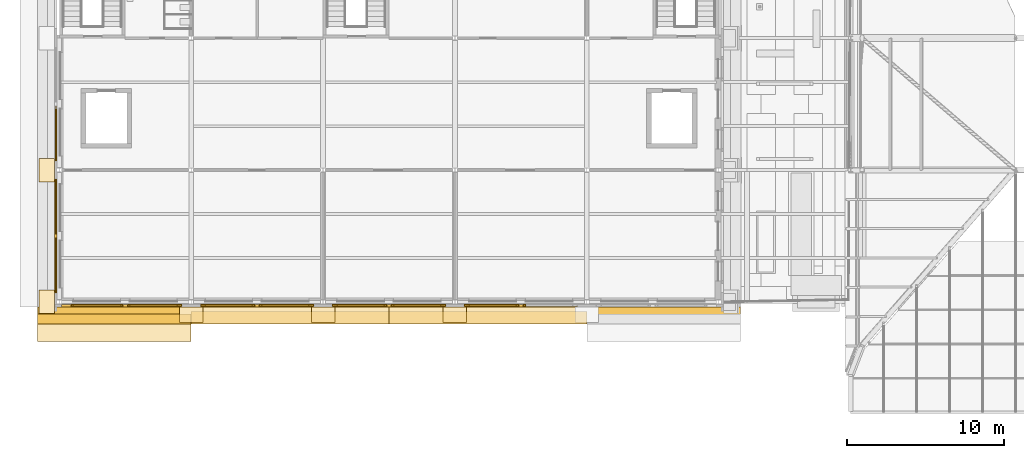
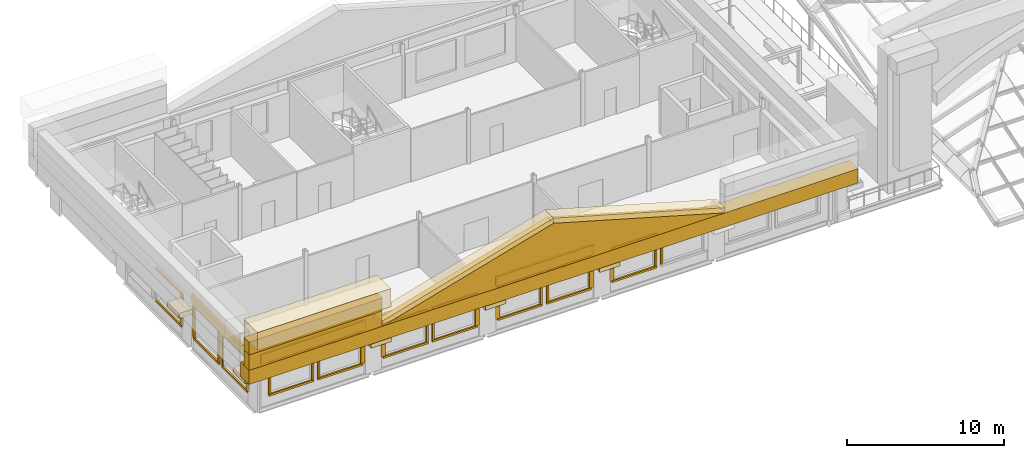
# One storey, part 53 of 76: 57 coverings.
"""IFC4 building model written with IfcOpenShell, lengths in metres."""

import ifcopenshell
import ifcopenshell.guid

model = None  # the IFC model being written
_history = None  # IfcOwnerHistory: only IFC2X3 demands one
_inside = {}  # id of a spatial element -> (the spatial element, [elements in it])
_under = {}  # id of a project, library or spatial element -> (it, [spatial elements below it])
_declared = {}  # id of a project -> (the project, [libraries it declares])
_typed = {}  # id of a type object -> (the type object, [elements of that type])
_made_of = {}  # id of a material, layer set ... -> (it, [elements and type objects made of it])


def new_model(schema):
    """Start an empty IFC model of exactly this schema.

    Asked for "IFC4X3", IfcOpenShell would pick the latest addendum, in which some entities
    have other attributes; the version numbers below select the first issue.
    IFC2X3 requires an IfcOwnerHistory on every rooted entity: one is made here for all.
    """
    global model, _history
    if schema == "IFC4X3":
        model = ifcopenshell.file(schema_version=(4, 3, 0, 0))
    else:
        model = ifcopenshell.file(schema=schema)
    _inside.clear()
    _under.clear()
    _declared.clear()
    _typed.clear()
    _made_of.clear()
    _history = None
    if model.schema == "IFC2X3":
        org = make("IfcOrganization", Name="unknown")
        user = make(
            "IfcPersonAndOrganization",
            ThePerson=make("IfcPerson", FamilyName="unknown"),
            TheOrganization=org,
        )
        app = make(
            "IfcApplication",
            ApplicationDeveloper=org,
            Version="unknown",
            ApplicationFullName="unknown",
            ApplicationIdentifier="unknown",
        )
        _history = make(
            "IfcOwnerHistory",
            OwningUser=user,
            OwningApplication=app,
            ChangeAction="ADDED",
            CreationDate=0,
        )
    return model


def make(cls, **values):
    """One entity of the class cls with the attributes given. An attribute that is None is left unset."""
    return model.create_entity(
        cls, **{name: value for name, value in values.items() if value is not None}
    )


def rooted(cls, **values):
    """An entity with a GlobalId (a new one), such as an element, a storey or a relation."""
    return make(cls, GlobalId=ifcopenshell.guid.new(), OwnerHistory=_history, **values)


def si_unit(unit_type, name, prefix=None):
    """IfcSIUnit, for example si_unit("LENGTHUNIT", "METRE", prefix="MILLI")."""
    return make("IfcSIUnit", UnitType=unit_type, Prefix=prefix, Name=name)


def assignment(units):
    """IfcUnitAssignment: the units of a project."""
    return None if units is None else make("IfcUnitAssignment", Units=units)


def point(xyz):
    """IfcCartesianPoint."""
    return None if xyz is None else make("IfcCartesianPoint", Coordinates=xyz)


def direction(xyz):
    """IfcDirection."""
    return None if xyz is None else make("IfcDirection", DirectionRatios=xyz)


def frame(location, z_axis=None, x_axis=None):
    """IfcAxis2Placement3D, a coordinate frame: its origin and axes. An axis left out is left unset."""
    return make(
        "IfcAxis2Placement3D",
        Location=point(location),
        Axis=direction(z_axis),
        RefDirection=direction(x_axis),
    )


def frame_2d(location, x_axis=None):
    """IfcAxis2Placement2D, a coordinate frame in the plane: its origin and x axis."""
    return make(
        "IfcAxis2Placement2D", Location=point(location), RefDirection=direction(x_axis)
    )


def origin():
    """The frame at (0, 0, 0) with its axes left unset."""
    return frame((0.0, 0.0, 0.0))


def origin_2d():
    """The frame at (0, 0) in the plane with its x axis left unset."""
    return frame_2d((0.0, 0.0))


def place(relative_to, where):
    """IfcLocalPlacement: puts the frame where relative to a parent placement (None: the world)."""
    return make(
        "IfcLocalPlacement", PlacementRelTo=relative_to, RelativePlacement=where
    )


def context(
    kind, dimensions, precision=None, world=None, true_north=None, identifier=None
):
    """IfcGeometricRepresentationContext, for example the 3D "Model" context."""
    return make(
        "IfcGeometricRepresentationContext",
        ContextIdentifier=identifier,
        ContextType=kind,
        CoordinateSpaceDimension=dimensions,
        Precision=precision,
        WorldCoordinateSystem=world,
        TrueNorth=true_north,
    )


def subcontext(parent, identifier, kind, view, scale=None):
    """IfcGeometricRepresentationSubContext, for example "Body" below "Model"."""
    return make(
        "IfcGeometricRepresentationSubContext",
        ContextIdentifier=identifier,
        ContextType=kind,
        ParentContext=parent,
        TargetScale=scale,
        TargetView=view,
    )


def project(units=None, contexts=None):
    """IfcProject with its units and contexts."""
    return rooted(
        "IfcProject",
        Name="project",
        RepresentationContexts=contexts,
        UnitsInContext=assignment(units),
    )


def spatial(cls, under=None, at=None, **own):
    """A site, building, storey or space (cls), placed at a placement, below another one or the project."""
    s = rooted(cls, ObjectPlacement=at, **own)
    if under is not None:
        _under.setdefault(under.id(), (under, []))[1].append(s)
    return s


def polyline(points):
    """IfcPolyline through the points."""
    return make("IfcPolyline", Points=[point(p) for p in points])


def profile(cls, at=None, kind="AREA", **sizes):
    """A parametric profile (cls). Its sizes go by their IFC names, for example OverallWidth=200.0."""
    return make(cls, ProfileType=kind, Position=at, **sizes)


def rectangle(**sizes):
    """IfcRectangleProfileDef."""
    return profile("IfcRectangleProfileDef", **sizes)


def outline(outer, holes=None, kind="AREA"):
    """IfcArbitraryClosedProfileDef: a profile drawn as a closed curve; with holes, ...WithVoids."""
    if holes is None:
        return make("IfcArbitraryClosedProfileDef", ProfileType=kind, OuterCurve=outer)
    return make(
        "IfcArbitraryProfileDefWithVoids",
        ProfileType=kind,
        OuterCurve=outer,
        InnerCurves=holes,
    )


def extrude(swept, where, along, depth):
    """IfcExtrudedAreaSolid: the profile swept, set in the frame where, extruded along a direction by depth."""
    return make(
        "IfcExtrudedAreaSolid",
        SweptArea=swept,
        Position=where,
        ExtrudedDirection=direction(along),
        Depth=depth,
    )


def shape(context_of_items, identifier, shape_type, items):
    """IfcShapeRepresentation: the items that make up one representation, for example the "Body"."""
    return make(
        "IfcShapeRepresentation",
        ContextOfItems=context_of_items,
        RepresentationIdentifier=identifier,
        RepresentationType=shape_type,
        Items=items,
    )


def material(Name=None, Category=None):
    """IfcMaterial."""
    return make("IfcMaterial", Name=Name, Category=Category)


def layer(
    of_material, thickness, ventilated=None, Name=None, Category=None, Priority=None
):
    """IfcMaterialLayer: one layer of a wall or slab, of a material (None: an air gap)."""
    return make(
        "IfcMaterialLayer",
        Material=of_material,
        LayerThickness=thickness,
        IsVentilated=ventilated,
        Name=Name,
        Category=Category,
        Priority=Priority,
    )


def layer_set(layers, Name=None):
    """IfcMaterialLayerSet."""
    return make("IfcMaterialLayerSet", MaterialLayers=layers, LayerSetName=Name)


def made_of(thing, what):
    """Note that an element or type object is made of a material, layer set ...; save() writes the relation."""
    if what is not None:
        _made_of.setdefault(what.id(), (what, []))[1].append(thing)
    return thing


def type_object(cls, material=None, **own):
    """A type object (cls), such as IfcWallType, which elements share."""
    return made_of(rooted(cls, **own), material)


def element(
    cls,
    number,
    at=None,
    inside=None,
    cuts=None,
    type_object=None,
    material=None,
    context=None,
    identifier="Body",
    shape_type=None,
    held_by="IfcProductDefinitionShape",
    body=None,
    shapes=None,
    **own,
):
    """One element of the class cls, such as IfcWall. Its Tag is "e" and its number.

    at: its placement. inside: the storey or other place that contains it. cuts: it is an
    opening in that element (IfcRelVoidsElement). A single representation is given by context,
    identifier, shape_type and body (its items); several are given by shapes. held_by: the class
    of the entity that holds the representations. save() writes the other relations.
    """
    e = rooted(cls, Tag="e%d" % number, ObjectPlacement=at, **own)
    if body is not None:
        shapes = [shape(context, identifier, shape_type, body)]
    if shapes is not None:
        e.Representation = make(held_by, Representations=shapes)
    if inside is not None:
        _inside.setdefault(inside.id(), (inside, []))[1].append(e)
    if cuts is not None:
        rooted(
            "IfcRelVoidsElement", RelatingBuildingElement=cuts, RelatedOpeningElement=e
        )
    if type_object is not None:
        _typed.setdefault(type_object.id(), (type_object, []))[1].append(e)
    return made_of(e, material)


def aggregate(whole, parts):
    """IfcRelAggregates: a whole, such as a stair, and the parts it consists of."""
    return rooted("IfcRelAggregates", RelatingObject=whole, RelatedObjects=parts)


def save(model, path):
    """Write the relations noted so far, then the file.

    IfcRelAggregates (storeys below a building ...), IfcRelContainedInSpatialStructure (elements
    in a storey), IfcRelDefinesByType, IfcRelAssociatesMaterial and IfcRelDeclares: one each for
    every whole, place, type object, material and project.
    """
    for whole, parts in _under.values():
        aggregate(whole, parts)
    for where, things in _inside.values():
        rooted(
            "IfcRelContainedInSpatialStructure",
            RelatedElements=things,
            RelatingStructure=where,
        )
    for kind, things in _typed.values():
        rooted("IfcRelDefinesByType", RelatedObjects=things, RelatingType=kind)
    for what, things in _made_of.values():
        rooted("IfcRelAssociatesMaterial", RelatedObjects=things, RelatingMaterial=what)
    for by, libraries in _declared.values():
        rooted("IfcRelDeclares", RelatingContext=by, RelatedDefinitions=libraries)
    model.write(path)


model = new_model("IFC4")

# Units and contexts
model_context = context("Model", 3, precision=1e-05, world=origin(), true_north=direction((0.0, 1.0)))
body_context = subcontext(model_context, "Body", "Model", "MODEL_VIEW")
ifc_project = project(units=[si_unit("LENGTHUNIT", "METRE"), si_unit("AREAUNIT", "SQUARE_METRE"), si_unit("VOLUMEUNIT", "CUBIC_METRE"), si_unit("PLANEANGLEUNIT", "RADIAN"), si_unit("MASSUNIT", "GRAM", prefix="KILO")], contexts=[model_context])

# Site, building, storey
site_placement = place(None, origin())
site = spatial("IfcSite", under=ifc_project, at=site_placement, CompositionType="ELEMENT")
building_placement = place(site_placement, origin())
building = spatial("IfcBuilding", under=site, at=building_placement, Name="Sava Quay Ferry Terminal", CompositionType="ELEMENT")
storey_placement = place(building_placement, frame((0.0, 0.0, 10.800048828125)))
storey = spatial("IfcBuildingStorey", under=building, at=storey_placement, Name="L02", CompositionType="ELEMENT", Elevation=10.800048828125)

# Coverings
ifc_material_1 = material(Name="Limestone Mutalj", Category="masonry")
ifc_layer_1 = layer(ifc_material_1, 1.75)
ifc_layer_set_1 = layer_set([ifc_layer_1], Name="Limestone Mutalj")
covering_type_1 = type_object("IfcCoveringType", Name="Attic crown cornice 1400", PredefinedType="MOLDING", material=ifc_layer_set_1)
covering_1_placement = place(storey_placement, frame((3.510009765625, 23.56494140625, 6.39990234375), z_axis=(0.0, 0.0, 1.0), x_axis=(1.0, 0.0, 0.0)))
element("IfcCovering", 1, at=covering_1_placement, inside=storey, type_object=covering_type_1, Name="Attic crown cornice", PredefinedType="MOLDING", context=body_context, shape_type="SweptSolid", body=[
    extrude(rectangle(XDim=9.780029296875, YDim=1.75, at=origin_2d()), origin(), (0.0, 0.0, 1.0), 1.39990234375),
])
ifc_material_2 = material(Name="Limestone Mutalj", Category="masonry")
ifc_layer_2 = layer(ifc_material_2, 0.64990234375)
ifc_layer_set_2 = layer_set([ifc_layer_2], Name="Limestone Mutalj")
covering_type_2 = type_object("IfcCoveringType", Name="Attic frieze 1000", PredefinedType="CLADDING", material=ifc_layer_set_2)
covering_2_placement = place(storey_placement, frame((3.510009765625, 24.114990234375, 5.39990234375), z_axis=(0.0, 0.0, 1.0), x_axis=(1.0, 0.0, 0.0)))
element("IfcCovering", 2, at=covering_2_placement, inside=storey, type_object=covering_type_2, Name="Attic frieze", PredefinedType="CLADDING", context=body_context, shape_type="SweptSolid", body=[
    extrude(rectangle(XDim=9.780029296875, YDim=0.64990234375, at=origin_2d()), origin(), (0.0, 0.0, 1.0), 1.0),
])
ifc_material_3 = material(Name="Limestone Mutalj", Category="masonry")
ifc_layer_3 = layer(ifc_material_3, 0.64990234375)
ifc_layer_set_3 = layer_set([ifc_layer_3], Name="Limestone Mutalj")
covering_type_3 = type_object("IfcCoveringType", Name="Attic parapet 650", PredefinedType="MOLDING", material=ifc_layer_set_3)
covering_3_placement = place(storey_placement, frame((3.510009765625, 24.114990234375, 4.2001953125), z_axis=(0.0, 0.0, 1.0), x_axis=(1.0, 0.0, 0.0)))
element("IfcCovering", 3, at=covering_3_placement, inside=storey, type_object=covering_type_3, Name="Attic parapet W S", PredefinedType="MOLDING", context=body_context, shape_type="SweptSolid", body=[
    extrude(rectangle(XDim=9.780029296875, YDim=0.64990234375, at=origin_2d()), origin(), (0.0, 0.0, 1.0), 1.199951171875),
])
ifc_material_4 = material(Name="Limestone Mutalj", Category="masonry")
ifc_layer_4 = layer(ifc_material_4, 1.10009765625)
ifc_layer_set_4 = layer_set([ifc_layer_4], Name="Limestone Mutalj")
covering_type_4 = type_object("IfcCoveringType", Name="Eaves cornice 1100", PredefinedType="MOLDING", material=ifc_layer_set_4)
covering_4_placement = place(storey_placement, frame((21.0, 24.340087890625, 3.099853515625), z_axis=(0.0, 0.0, 1.0), x_axis=(1.0, 0.0, 0.0)))
element("IfcCovering", 4, at=covering_4_placement, inside=storey, type_object=covering_type_4, Name="Eaves cornice W S", PredefinedType="MOLDING", context=body_context, shape_type="SweptSolid", body=[
    extrude(rectangle(XDim=44.760009765625, YDim=1.10009765625, at=origin_2d()), origin(), (0.0, 0.0, 1.0), 1.10009765625),
])
ifc_material_5 = material(Name="Limestone Mutalj", Category="masonry")
ifc_layer_5 = layer(ifc_material_5, 0.14990234375)
ifc_layer_set_5 = layer_set([ifc_layer_5], Name="Limestone Mutalj")
covering_type_5 = type_object("IfcCoveringType", Name="Limestone string course 150", PredefinedType="CLADDING", material=ifc_layer_set_5)
covering_5_placement = place(storey_placement, frame((0.0, 0.0, 3.449951171875)))
element("IfcCovering", 5, at=covering_5_placement, inside=storey, type_object=covering_type_5, Name="String course W-S", PredefinedType="CLADDING", context=body_context, shape_type="SweptSolid", body=[
    extrude(outline(polyline([(0.1298828125, 25.0400390625), (7.800048828125, 25.0400390625), (7.800048828125, 24.889892578125), (0.1298828125, 24.889892578125), (0.1298828125, 25.0400390625)])), origin(), (0.0, 0.0, 1.0), 0.75),
])
covering_6_placement = place(storey_placement, frame((0.0, 0.0, 3.449951171875)))
element("IfcCovering", 6, at=covering_6_placement, inside=storey, type_object=covering_type_5, Name="String course W-S", PredefinedType="CLADDING", context=body_context, shape_type="SweptSolid", body=[
    extrude(outline(polyline([(9.0, 25.0400390625), (16.199951171875, 25.0400390625), (16.199951171875, 24.889892578125), (9.0, 24.889892578125), (9.0, 25.0400390625)])), origin(), (0.0, 0.0, 1.0), 0.75),
])
covering_7_placement = place(storey_placement, frame((0.0, 0.0, 3.449951171875)))
element("IfcCovering", 7, at=covering_7_placement, inside=storey, type_object=covering_type_5, Name="String course W-S", PredefinedType="CLADDING", context=body_context, shape_type="SweptSolid", body=[
    extrude(outline(polyline([(17.39990234375, 25.0400390625), (24.60009765625, 25.0400390625), (24.60009765625, 24.889892578125), (17.39990234375, 24.889892578125), (17.39990234375, 25.0400390625)])), origin(), (0.0, 0.0, 1.0), 0.75),
])
covering_8_placement = place(storey_placement, frame((0.0, 0.0, 3.449951171875)))
element("IfcCovering", 8, at=covering_8_placement, inside=storey, type_object=covering_type_5, Name="String course W-S", PredefinedType="CLADDING", context=body_context, shape_type="SweptSolid", body=[
    extrude(outline(polyline([(25.800048828125, 25.0400390625), (33.0, 25.0400390625), (33.0, 24.889892578125), (25.800048828125, 24.889892578125), (25.800048828125, 25.0400390625)])), origin(), (0.0, 0.0, 1.0), 0.75),
])
covering_9_placement = place(storey_placement, frame((0.0, 0.0, 3.449951171875)))
element("IfcCovering", 9, at=covering_9_placement, inside=storey, type_object=covering_type_5, Name="String course W-W", PredefinedType="CLADDING", context=body_context, shape_type="SweptSolid", body=[
    extrude(outline(polyline([(-0.14990234375, 25.800048828125), (-0.14990234375, 33.0), (-0.300048828125, 33.0), (-0.300048828125, 25.800048828125), (-0.14990234375, 25.800048828125)])), origin(), (0.0, 0.0, 1.0), 0.75),
])
ifc_material_6 = material(Name="Limestone Mutalj", Category="masonry")
ifc_layer_6 = layer(ifc_material_6, 0.800048828125)
ifc_layer_set_6 = layer_set([ifc_layer_6], Name="Limestone Mutalj")
covering_type_6 = type_object("IfcCoveringType", Name="Pediment tympanum 800", PredefinedType="CLADDING", material=ifc_layer_set_6)
covering_10_placement = place(storey_placement, frame((8.39990234375, 23.7900390625, 4.199951171875), z_axis=(0.0, -1.0, 0.0), x_axis=(1.0, 0.0, 0.0)))
element("IfcCovering", 10, at=covering_10_placement, inside=storey, type_object=covering_type_6, Name="Front pediment W S", PredefinedType="CLADDING", context=body_context, shape_type="SweptSolid", body=[
    extrude(outline(polyline([(0.0, 0.0), (25.2001953125, 0.0), (12.60009765625, 3.60009765625), (0.0, 0.0)])), origin(), (0.0, 0.0, -1.0), 0.81005859375),
])
ifc_material_7 = material(Name="Limestone Mutalj", Category="masonry")
ifc_layer_7 = layer(ifc_material_7, 1.0)
ifc_layer_set_7 = layer_set([ifc_layer_7], Name="Limestone Mutalj")
covering_type_7 = type_object("IfcCoveringType", Name="Pilaster capital block 1500", PredefinedType="MOLDING", material=ifc_layer_set_7)
for number, where, z_axis, x_axis, name in (
    (11, (8.39990234375, 24.389892578125, 2.699951171875), (0.0, 0.0, 1.0), (1.0, 0.0, 0.0), "Giant-order capital"),
    (12, (16.800048828125, 24.389892578125, 2.699951171875), (0.0, 0.0, 1.0), (1.0, 0.0, 0.0), "Giant-order capital"),
    (13, (25.199951171875, 24.389892578125, 2.699951171875), (0.0, 0.0, 1.0), (1.0, 0.0, 0.0), "Giant-order capital"),
):
    element("IfcCovering", number, at=place(storey_placement, frame(where, z_axis=z_axis, x_axis=x_axis)), inside=storey, type_object=covering_type_7, Name=name, PredefinedType="MOLDING", context=body_context, shape_type="SweptSolid", body=[
        extrude(rectangle(XDim=1.5, YDim=1.0, at=origin_2d()), origin(), (0.0, 0.0, 1.0), 0.39990234375),
    ])
for number, where, z_axis, x_axis, name in (
    (14, (-0.800048828125, 25.199951171875, 2.699951171875), (0.0, 0.0, 1.0), (1.0, 0.0, 0.0), "Giant-order capital"),
    (15, (-0.800048828125, 33.60009765625, 2.699951171875), (0.0, 0.0, 1.0), (1.0, 0.0, 0.0), "Giant-order capital"),
):
    element("IfcCovering", number, at=place(storey_placement, frame(where, z_axis=z_axis, x_axis=x_axis)), inside=storey, type_object=covering_type_7, Name=name, PredefinedType="MOLDING", context=body_context, shape_type="SweptSolid", body=[
        extrude(rectangle(XDim=1.0, YDim=1.5, at=origin_2d()), origin(), (0.0, 0.0, 1.0), 0.39990234375),
    ])
ifc_material_8 = material(Name="Limestone Mutalj", Category="masonry")
ifc_layer_8 = layer(ifc_material_8, 0.1201171875)
ifc_layer_set_8 = layer_set([ifc_layer_8], Name="Limestone Mutalj")
covering_type_8 = type_object("IfcCoveringType", Name="Plain window architrave 150", PredefinedType="MOLDING", material=ifc_layer_set_8)
for number, where, z_axis, x_axis, name in (
    (16, (0.824951171875, 24.97998046875, 0.89990234375), (0.0, 0.0, 1.0), (1.0, 0.0, 0.0), "Plain window architrave"),
    (17, (3.97509765625, 24.97998046875, 0.89990234375), (0.0, 0.0, 1.0), (1.0, 0.0, 0.0), "Plain window architrave"),
):
    element("IfcCovering", number, at=place(storey_placement, frame(where, z_axis=z_axis, x_axis=x_axis)), inside=storey, type_object=covering_type_8, Name=name, PredefinedType="MOLDING", context=body_context, shape_type="SweptSolid", body=[
        extrude(rectangle(XDim=0.14990234375, YDim=0.1201171875, at=origin_2d()), origin(), (0.0, 0.0, 1.0), 2.39990234375),
    ])
for number, where, z_axis, x_axis, name in (
    (18, (2.39990234375, 24.97998046875, 3.300048828125), (0.0, 0.0, 1.0), (1.0, 0.0, 0.0), "Plain window architrave"),
    (19, (2.39990234375, 24.97998046875, 0.75), (0.0, 0.0, 1.0), (1.0, 0.0, 0.0), "Plain window architrave"),
):
    element("IfcCovering", number, at=place(storey_placement, frame(where, z_axis=z_axis, x_axis=x_axis)), inside=storey, type_object=covering_type_8, Name=name, PredefinedType="MOLDING", context=body_context, shape_type="SweptSolid", body=[
        extrude(rectangle(XDim=3.300048828125, YDim=0.1201171875, at=origin_2d()), origin(), (0.0, 0.0, 1.0), 0.14990234375),
    ])
covering_11_placement = place(storey_placement, frame((4.425048828125, 24.97998046875, 0.89990234375), z_axis=(0.0, 0.0, 1.0), x_axis=(1.0, 0.0, 0.0)))
element("IfcCovering", 20, at=covering_11_placement, inside=storey, type_object=covering_type_8, Name="Plain window architrave", PredefinedType="MOLDING", context=body_context, shape_type="SweptSolid", body=[
    extrude(rectangle(XDim=0.14990234375, YDim=0.1201171875, at=origin_2d()), origin(), (0.0, 0.0, 1.0), 2.39990234375),
])
covering_12_placement = place(storey_placement, frame((7.64990234375, 24.97998046875, 0.89990234375), z_axis=(0.0, 0.0, 1.0), x_axis=(1.0, 0.0, 0.0)))
element("IfcCovering", 21, at=covering_12_placement, inside=storey, type_object=covering_type_8, Name="Plain window architrave", PredefinedType="MOLDING", context=body_context, shape_type="SweptSolid", body=[
    extrude(rectangle(XDim=0.300048828125, YDim=0.1201171875, at=origin_2d()), origin(), (0.0, 0.0, 1.0), 2.39990234375),
])
for number, where, z_axis, x_axis, name in (
    (22, (6.0, 24.97998046875, 3.300048828125), (0.0, 0.0, 1.0), (1.0, 0.0, 0.0), "Plain window architrave"),
    (23, (6.0, 24.97998046875, 0.75), (0.0, 0.0, 1.0), (1.0, 0.0, 0.0), "Plain window architrave"),
):
    element("IfcCovering", number, at=place(storey_placement, frame(where, z_axis=z_axis, x_axis=x_axis)), inside=storey, type_object=covering_type_8, Name=name, PredefinedType="MOLDING", context=body_context, shape_type="SweptSolid", body=[
        extrude(rectangle(XDim=3.300048828125, YDim=0.1201171875, at=origin_2d()), origin(), (0.0, 0.0, 1.0), 0.14990234375),
    ])
covering_13_placement = place(storey_placement, frame((9.14990234375, 24.97998046875, 0.89990234375), z_axis=(0.0, 0.0, 1.0), x_axis=(1.0, 0.0, 0.0)))
element("IfcCovering", 24, at=covering_13_placement, inside=storey, type_object=covering_type_8, Name="Plain window architrave", PredefinedType="MOLDING", context=body_context, shape_type="SweptSolid", body=[
    extrude(rectangle(XDim=0.300048828125, YDim=0.1201171875, at=origin_2d()), origin(), (0.0, 0.0, 1.0), 2.39990234375),
])
covering_14_placement = place(storey_placement, frame((12.375, 24.97998046875, 0.89990234375), z_axis=(0.0, 0.0, 1.0), x_axis=(1.0, 0.0, 0.0)))
element("IfcCovering", 25, at=covering_14_placement, inside=storey, type_object=covering_type_8, Name="Plain window architrave", PredefinedType="MOLDING", context=body_context, shape_type="SweptSolid", body=[
    extrude(rectangle(XDim=0.14990234375, YDim=0.1201171875, at=origin_2d()), origin(), (0.0, 0.0, 1.0), 2.39990234375),
])
for number, where, z_axis, x_axis, name in (
    (26, (10.800048828125, 24.97998046875, 3.300048828125), (0.0, 0.0, 1.0), (1.0, 0.0, 0.0), "Plain window architrave"),
    (27, (10.800048828125, 24.97998046875, 0.75), (0.0, 0.0, 1.0), (1.0, 0.0, 0.0), "Plain window architrave"),
):
    element("IfcCovering", number, at=place(storey_placement, frame(where, z_axis=z_axis, x_axis=x_axis)), inside=storey, type_object=covering_type_8, Name=name, PredefinedType="MOLDING", context=body_context, shape_type="SweptSolid", body=[
        extrude(rectangle(XDim=3.300048828125, YDim=0.1201171875, at=origin_2d()), origin(), (0.0, 0.0, 1.0), 0.14990234375),
    ])
covering_15_placement = place(storey_placement, frame((12.824951171875, 24.97998046875, 0.89990234375), z_axis=(0.0, 0.0, 1.0), x_axis=(1.0, 0.0, 0.0)))
element("IfcCovering", 28, at=covering_15_placement, inside=storey, type_object=covering_type_8, Name="Plain window architrave", PredefinedType="MOLDING", context=body_context, shape_type="SweptSolid", body=[
    extrude(rectangle(XDim=0.14990234375, YDim=0.1201171875, at=origin_2d()), origin(), (0.0, 0.0, 1.0), 2.39990234375),
])
covering_16_placement = place(storey_placement, frame((16.050048828125, 24.97998046875, 0.89990234375), z_axis=(0.0, 0.0, 1.0), x_axis=(1.0, 0.0, 0.0)))
element("IfcCovering", 29, at=covering_16_placement, inside=storey, type_object=covering_type_8, Name="Plain window architrave", PredefinedType="MOLDING", context=body_context, shape_type="SweptSolid", body=[
    extrude(rectangle(XDim=0.300048828125, YDim=0.1201171875, at=origin_2d()), origin(), (0.0, 0.0, 1.0), 2.39990234375),
])
for number, where, z_axis, x_axis, name in (
    (30, (14.39990234375, 24.97998046875, 3.300048828125), (0.0, 0.0, 1.0), (1.0, 0.0, 0.0), "Plain window architrave"),
    (31, (14.39990234375, 24.97998046875, 0.75), (0.0, 0.0, 1.0), (1.0, 0.0, 0.0), "Plain window architrave"),
):
    element("IfcCovering", number, at=place(storey_placement, frame(where, z_axis=z_axis, x_axis=x_axis)), inside=storey, type_object=covering_type_8, Name=name, PredefinedType="MOLDING", context=body_context, shape_type="SweptSolid", body=[
        extrude(rectangle(XDim=3.300048828125, YDim=0.1201171875, at=origin_2d()), origin(), (0.0, 0.0, 1.0), 0.14990234375),
    ])
covering_17_placement = place(storey_placement, frame((17.550048828125, 24.97998046875, 0.89990234375), z_axis=(0.0, 0.0, 1.0), x_axis=(1.0, 0.0, 0.0)))
element("IfcCovering", 32, at=covering_17_placement, inside=storey, type_object=covering_type_8, Name="Plain window architrave", PredefinedType="MOLDING", context=body_context, shape_type="SweptSolid", body=[
    extrude(rectangle(XDim=0.300048828125, YDim=0.1201171875, at=origin_2d()), origin(), (0.0, 0.0, 1.0), 2.39990234375),
])
covering_18_placement = place(storey_placement, frame((20.77490234375, 24.97998046875, 0.89990234375), z_axis=(0.0, 0.0, 1.0), x_axis=(1.0, 0.0, 0.0)))
element("IfcCovering", 33, at=covering_18_placement, inside=storey, type_object=covering_type_8, Name="Plain window architrave", PredefinedType="MOLDING", context=body_context, shape_type="SweptSolid", body=[
    extrude(rectangle(XDim=0.14990234375, YDim=0.1201171875, at=origin_2d()), origin(), (0.0, 0.0, 1.0), 2.39990234375),
])
for number, where, z_axis, x_axis, name in (
    (34, (19.199951171875, 24.97998046875, 3.300048828125), (0.0, 0.0, 1.0), (1.0, 0.0, 0.0), "Plain window architrave"),
    (35, (19.199951171875, 24.97998046875, 0.75), (0.0, 0.0, 1.0), (1.0, 0.0, 0.0), "Plain window architrave"),
):
    element("IfcCovering", number, at=place(storey_placement, frame(where, z_axis=z_axis, x_axis=x_axis)), inside=storey, type_object=covering_type_8, Name=name, PredefinedType="MOLDING", context=body_context, shape_type="SweptSolid", body=[
        extrude(rectangle(XDim=3.300048828125, YDim=0.1201171875, at=origin_2d()), origin(), (0.0, 0.0, 1.0), 0.14990234375),
    ])
covering_19_placement = place(storey_placement, frame((21.22509765625, 24.97998046875, 0.89990234375), z_axis=(0.0, 0.0, 1.0), x_axis=(1.0, 0.0, 0.0)))
element("IfcCovering", 36, at=covering_19_placement, inside=storey, type_object=covering_type_8, Name="Plain window architrave", PredefinedType="MOLDING", context=body_context, shape_type="SweptSolid", body=[
    extrude(rectangle(XDim=0.14990234375, YDim=0.1201171875, at=origin_2d()), origin(), (0.0, 0.0, 1.0), 2.39990234375),
])
covering_20_placement = place(storey_placement, frame((24.449951171875, 24.97998046875, 0.89990234375), z_axis=(0.0, 0.0, 1.0), x_axis=(1.0, 0.0, 0.0)))
element("IfcCovering", 37, at=covering_20_placement, inside=storey, type_object=covering_type_8, Name="Plain window architrave", PredefinedType="MOLDING", context=body_context, shape_type="SweptSolid", body=[
    extrude(rectangle(XDim=0.300048828125, YDim=0.1201171875, at=origin_2d()), origin(), (0.0, 0.0, 1.0), 2.39990234375),
])
for number, where, z_axis, x_axis, name in (
    (38, (22.800048828125, 24.97998046875, 3.300048828125), (0.0, 0.0, 1.0), (1.0, 0.0, 0.0), "Plain window architrave"),
    (39, (22.800048828125, 24.97998046875, 0.75), (0.0, 0.0, 1.0), (1.0, 0.0, 0.0), "Plain window architrave"),
):
    element("IfcCovering", number, at=place(storey_placement, frame(where, z_axis=z_axis, x_axis=x_axis)), inside=storey, type_object=covering_type_8, Name=name, PredefinedType="MOLDING", context=body_context, shape_type="SweptSolid", body=[
        extrude(rectangle(XDim=3.300048828125, YDim=0.1201171875, at=origin_2d()), origin(), (0.0, 0.0, 1.0), 0.14990234375),
    ])
covering_21_placement = place(storey_placement, frame((25.949951171875, 24.97998046875, 0.89990234375), z_axis=(0.0, 0.0, 1.0), x_axis=(1.0, 0.0, 0.0)))
element("IfcCovering", 40, at=covering_21_placement, inside=storey, type_object=covering_type_8, Name="Plain window architrave", PredefinedType="MOLDING", context=body_context, shape_type="SweptSolid", body=[
    extrude(rectangle(XDim=0.300048828125, YDim=0.1201171875, at=origin_2d()), origin(), (0.0, 0.0, 1.0), 2.39990234375),
])
covering_22_placement = place(storey_placement, frame((29.175048828125, 24.97998046875, 0.89990234375), z_axis=(0.0, 0.0, 1.0), x_axis=(1.0, 0.0, 0.0)))
element("IfcCovering", 41, at=covering_22_placement, inside=storey, type_object=covering_type_8, Name="Plain window architrave", PredefinedType="MOLDING", context=body_context, shape_type="SweptSolid", body=[
    extrude(rectangle(XDim=0.14990234375, YDim=0.1201171875, at=origin_2d()), origin(), (0.0, 0.0, 1.0), 2.39990234375),
])
for number, where, z_axis, x_axis, name in (
    (42, (27.60009765625, 24.97998046875, 3.300048828125), (0.0, 0.0, 1.0), (1.0, 0.0, 0.0), "Plain window architrave"),
    (43, (27.60009765625, 24.97998046875, 0.75), (0.0, 0.0, 1.0), (1.0, 0.0, 0.0), "Plain window architrave"),
):
    element("IfcCovering", number, at=place(storey_placement, frame(where, z_axis=z_axis, x_axis=x_axis)), inside=storey, type_object=covering_type_8, Name=name, PredefinedType="MOLDING", context=body_context, shape_type="SweptSolid", body=[
        extrude(rectangle(XDim=3.300048828125, YDim=0.1201171875, at=origin_2d()), origin(), (0.0, 0.0, 1.0), 0.14990234375),
    ])
covering_23_placement = place(storey_placement, frame((29.625, 24.97998046875, 0.89990234375), z_axis=(0.0, 0.0, 1.0), x_axis=(1.0, 0.0, 0.0)))
element("IfcCovering", 44, at=covering_23_placement, inside=storey, type_object=covering_type_8, Name="Plain window architrave", PredefinedType="MOLDING", context=body_context, shape_type="SweptSolid", body=[
    extrude(rectangle(XDim=0.14990234375, YDim=0.1201171875, at=origin_2d()), origin(), (0.0, 0.0, 1.0), 2.39990234375),
])
covering_24_placement = place(storey_placement, frame((-0.2099609375, 25.949951171875, 0.89990234375), z_axis=(0.0, 0.0, 1.0), x_axis=(1.0, 0.0, 0.0)))
element("IfcCovering", 45, at=covering_24_placement, inside=storey, type_object=covering_type_8, Name="Plain window architrave", PredefinedType="MOLDING", context=body_context, shape_type="SweptSolid", body=[
    extrude(rectangle(XDim=0.1201171875, YDim=0.300048828125, at=origin_2d()), origin(), (0.0, 0.0, 1.0), 2.39990234375),
])
covering_25_placement = place(storey_placement, frame((-0.2099609375, 29.175048828125, 0.89990234375), z_axis=(0.0, 0.0, 1.0), x_axis=(1.0, 0.0, 0.0)))
element("IfcCovering", 46, at=covering_25_placement, inside=storey, type_object=covering_type_8, Name="Plain window architrave", PredefinedType="MOLDING", context=body_context, shape_type="SweptSolid", body=[
    extrude(rectangle(XDim=0.1201171875, YDim=0.14990234375, at=origin_2d()), origin(), (0.0, 0.0, 1.0), 2.39990234375),
])
for number, where, z_axis, x_axis, name in (
    (47, (-0.2099609375, 27.60009765625, 3.300048828125), (0.0, 0.0, 1.0), (1.0, 0.0, 0.0), "Plain window architrave"),
    (48, (-0.2099609375, 27.60009765625, 0.75), (0.0, 0.0, 1.0), (1.0, 0.0, 0.0), "Plain window architrave"),
):
    element("IfcCovering", number, at=place(storey_placement, frame(where, z_axis=z_axis, x_axis=x_axis)), inside=storey, type_object=covering_type_8, Name=name, PredefinedType="MOLDING", context=body_context, shape_type="SweptSolid", body=[
        extrude(rectangle(XDim=0.1201171875, YDim=3.300048828125, at=origin_2d()), origin(), (0.0, 0.0, 1.0), 0.14990234375),
    ])
covering_26_placement = place(storey_placement, frame((-0.2099609375, 29.625, 0.89990234375), z_axis=(0.0, 0.0, 1.0), x_axis=(1.0, 0.0, 0.0)))
element("IfcCovering", 49, at=covering_26_placement, inside=storey, type_object=covering_type_8, Name="Plain window architrave", PredefinedType="MOLDING", context=body_context, shape_type="SweptSolid", body=[
    extrude(rectangle(XDim=0.1201171875, YDim=0.14990234375, at=origin_2d()), origin(), (0.0, 0.0, 1.0), 2.39990234375),
])
covering_27_placement = place(storey_placement, frame((-0.2099609375, 32.85009765625, 0.89990234375), z_axis=(0.0, 0.0, 1.0), x_axis=(1.0, 0.0, 0.0)))
element("IfcCovering", 50, at=covering_27_placement, inside=storey, type_object=covering_type_8, Name="Plain window architrave", PredefinedType="MOLDING", context=body_context, shape_type="SweptSolid", body=[
    extrude(rectangle(XDim=0.1201171875, YDim=0.300048828125, at=origin_2d()), origin(), (0.0, 0.0, 1.0), 2.39990234375),
])
for number, where, z_axis, x_axis, name in (
    (51, (-0.2099609375, 31.199951171875, 3.300048828125), (0.0, 0.0, 1.0), (1.0, 0.0, 0.0), "Plain window architrave"),
    (52, (-0.2099609375, 31.199951171875, 0.75), (0.0, 0.0, 1.0), (1.0, 0.0, 0.0), "Plain window architrave"),
):
    element("IfcCovering", number, at=place(storey_placement, frame(where, z_axis=z_axis, x_axis=x_axis)), inside=storey, type_object=covering_type_8, Name=name, PredefinedType="MOLDING", context=body_context, shape_type="SweptSolid", body=[
        extrude(rectangle(XDim=0.1201171875, YDim=3.300048828125, at=origin_2d()), origin(), (0.0, 0.0, 1.0), 0.14990234375),
    ])
covering_28_placement = place(storey_placement, frame((-0.2099609375, 34.35009765625, 0.89990234375), z_axis=(0.0, 0.0, 1.0), x_axis=(1.0, 0.0, 0.0)))
element("IfcCovering", 53, at=covering_28_placement, inside=storey, type_object=covering_type_8, Name="Plain window architrave", PredefinedType="MOLDING", context=body_context, shape_type="SweptSolid", body=[
    extrude(rectangle(XDim=0.1201171875, YDim=0.300048828125, at=origin_2d()), origin(), (0.0, 0.0, 1.0), 2.39990234375),
])
for number, where, z_axis, x_axis, name in (
    (54, (-0.2099609375, 36.0, 3.300048828125), (0.0, 0.0, 1.0), (1.0, 0.0, 0.0), "Plain window architrave"),
    (55, (-0.2099609375, 36.0, 0.75), (0.0, 0.0, 1.0), (1.0, 0.0, 0.0), "Plain window architrave"),
):
    element("IfcCovering", number, at=place(storey_placement, frame(where, z_axis=z_axis, x_axis=x_axis)), inside=storey, type_object=covering_type_8, Name=name, PredefinedType="MOLDING", context=body_context, shape_type="SweptSolid", body=[
        extrude(rectangle(XDim=0.1201171875, YDim=3.300048828125, at=origin_2d()), origin(), (0.0, 0.0, 1.0), 0.14990234375),
    ])
ifc_material_9 = material(Name="Limestone Mutalj", Category="masonry")
ifc_layer_9 = layer(ifc_material_9, 1.39990234375)
ifc_layer_set_9 = layer_set([ifc_layer_9], Name="Limestone Mutalj")
covering_type_9 = type_object("IfcCoveringType", Name="Raking cornice 500", PredefinedType="MOLDING", material=ifc_layer_set_9)
covering_29_placement = place(storey_placement, frame((8.39990234375, 23.7900390625, 4.199951171875), z_axis=(0.0, -1.0, 0.0), x_axis=(0.961522541549, 0.0, 0.27472604917)))
element("IfcCovering", 56, at=covering_29_placement, inside=storey, type_object=covering_type_9, Name="Front raking cornice W S", PredefinedType="MOLDING", context=body_context, shape_type="SweptSolid", body=[
    extrude(outline(polyline([(0.0, 0.0), (13.104318527934732, 4.440892098500626e-16), (13.214182118887152, 0.38451511793397986), (0.10986359095242128, 0.3845151179339796), (0.0, 0.0)])), origin(), (0.0, 0.0, -1.0), 1.10009765625),
])
covering_30_placement = place(storey_placement, frame((21.0, 23.7900390625, 7.800048828125), z_axis=(0.0, -1.0, 0.0), x_axis=(0.961522541549, 0.0, -0.27472604917)))
element("IfcCovering", 57, at=covering_30_placement, inside=storey, type_object=covering_type_9, Name="Front raking cornice W S", PredefinedType="MOLDING", context=body_context, shape_type="SweptSolid", body=[
    extrude(outline(polyline([(0.0, 0.0), (13.104318527934732, -4.440892098500626e-16), (12.99445493698231, 0.3845151179339794), (-0.10986359095242128, 0.3845151179339796), (0.0, 0.0)])), origin(), (0.0, 0.0, -1.0), 1.10009765625),
])

save(model, "model.ifc")
